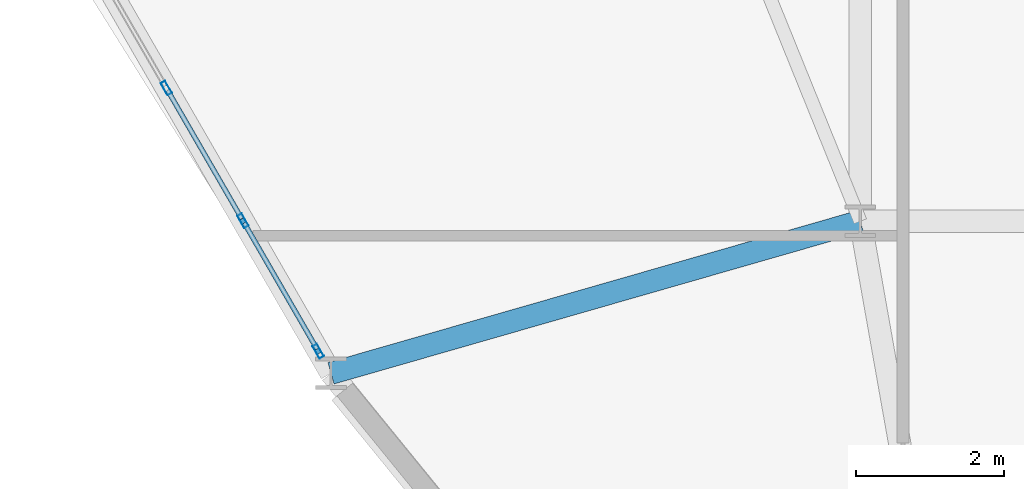
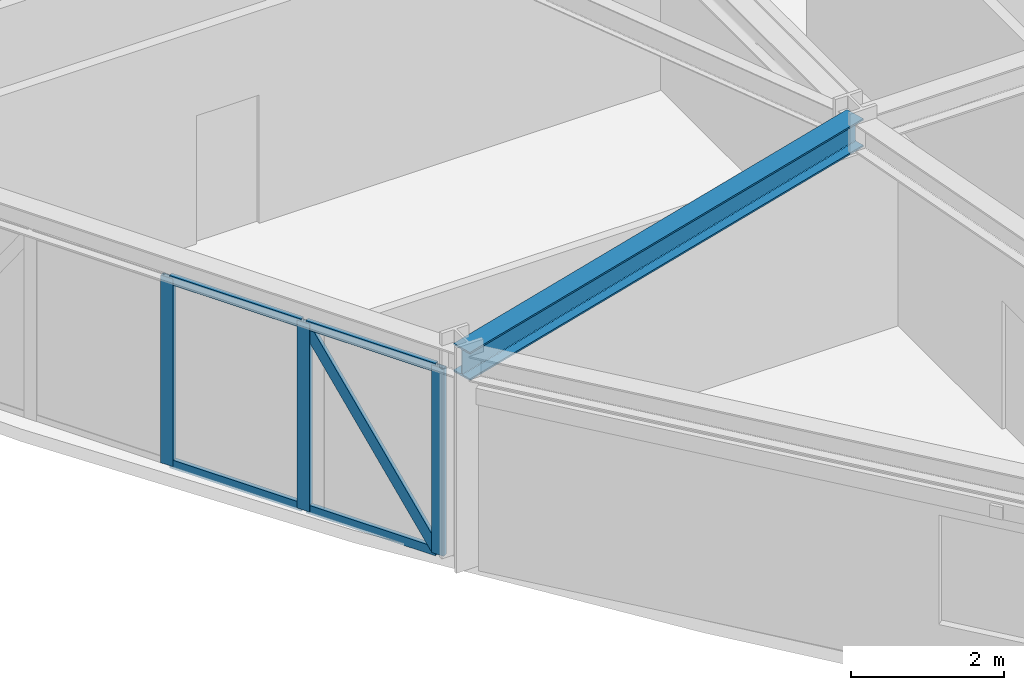
# One storey, part 2 of 15: 8 members, 1 beam, 1 element without a shape of its own.
"""IFC4 building model written with IfcOpenShell, lengths in metres."""

from ifc_helpers import new_model, si_unit, derived_unit, direction, frame, origin, origin_2d, place, context, subcontext, project, spatial, hollow_rectangle, i_section, extrude, source, transform, mapped, material, layer, layer_set, material_profile, profile_set, type_object, element, aggregate, save


model = new_model("IFC4")

# Units and contexts
model_context = context("Model", 3, precision=1e-05, world=origin(), true_north=direction((0.0, 1.0)))
body_context = subcontext(model_context, "Body", "Model", "MODEL_VIEW")
ifc_project = project(units=[si_unit("LENGTHUNIT", "METRE"), si_unit("AREAUNIT", "SQUARE_METRE"), si_unit("VOLUMEUNIT", "CUBIC_METRE"), si_unit("PLANEANGLEUNIT", "RADIAN"), si_unit("MASSUNIT", "GRAM", prefix="KILO"), derived_unit("THERMALTRANSMITTANCEUNIT", [(si_unit("POWERUNIT", "WATT"), 1), (si_unit("LENGTHUNIT", "METRE"), -2), (si_unit("THERMODYNAMICTEMPERATUREUNIT", "KELVIN"), -1)])], contexts=[model_context])

# Site, building, storey
site_placement = place(None, origin())
site = spatial("IfcSite", under=ifc_project, at=site_placement, CompositionType="ELEMENT")
building_placement = place(site_placement, origin())
building = spatial("IfcBuilding", under=site, at=building_placement, Name="Korsvarv Bourse and Concert Hall", CompositionType="ELEMENT")
storey_placement = place(building_placement, frame((0.0, 0.0, 150.60009765625)))
storey = spatial("IfcBuildingStorey", under=building, at=storey_placement, Name="L38", CompositionType="ELEMENT", Elevation=150.60009765625)

# Beam
ifc_material_1 = material(Name="Steel S355", Category="steel")
ifc_material_profile_1 = material_profile(ifc_material_1, i_section(OverallWidth=0.300048828125, OverallDepth=0.449951171875, WebThickness=0.013916015625, FlangeThickness=0.02587890625, FilletRadius=0.02099609375, at=origin_2d()), Name="HEB 450")
ifc_profile_set_1 = profile_set([ifc_material_profile_1], Name="Steel S355")
beam_type = type_object("IfcBeamType", Name="BM-HEB450", PredefinedType="SPANDREL", material=ifc_profile_set_1)
shared_shape_1 = source(origin(), body_context, "Body", "SweptSolid", [
    extrude(i_section(OverallWidth=0.300048828125, OverallDepth=0.449951171875, WebThickness=0.013916015625, FlangeThickness=0.02587890625, FilletRadius=0.02099609375, at=origin_2d()), origin(), (0.0, 0.0, 1.0), 7.4189453125),
])
beam_placement = place(storey_placement, frame((20.469482421875, 21.951904296875, 3.1748046875), z_axis=(0.961139291875, 0.276063872344, 0.0), x_axis=(-0.276063872344, 0.961139291875, 0.0)))
element("IfcBeam", 1, at=beam_placement, inside=storey, type_object=beam_type, Name="L38 beam B-08", PredefinedType="SPANDREL", context=body_context, shape_type="MappedRepresentation", body=[
    mapped(shared_shape_1, transform((0.0, 0.0, 0.0), scale=1.0)),
])

# Curtain wall, members
ifc_material_2 = material(Name="Anodised aluminium and triple low-E glazing", Category="glass")
ifc_layer = layer(ifc_material_2, 0.2099609375)
ifc_layer_set = layer_set([ifc_layer], Name="Anodised aluminium and triple low-E glazing")
curtain_wall_type = type_object("IfcCurtainWallType", Name="CW-SYS-2", PredefinedType="NOTDEFINED", material=ifc_layer_set)
curtain_wall_placement = place(storey_placement, origin())
curtain_wall = element("IfcCurtainWall", 2, at=curtain_wall_placement, inside=storey, type_object=curtain_wall_type, Name="L38 CW2 curtain wall CW-L38-F07", PredefinedType="NOTDEFINED")
ifc_material_3 = material(Name="Extruded aluminium EN AW-6063 T66", Category="aluminium")
ifc_material_profile_2 = material_profile(ifc_material_3, hollow_rectangle(XDim=0.070068359375, YDim=0.18994140625, WallThickness=0.0048828125, at=origin_2d()), Name="ALU-M 70x190")
ifc_profile_set_2 = profile_set([ifc_material_profile_2], Name="Extruded aluminium EN AW-6063 T66")
member_type_1 = type_object("IfcMemberType", Name="CWM-190", PredefinedType="MULLION", material=ifc_profile_set_2)
shared_shape_2 = source(origin(), body_context, "Body", "SweptSolid", [
    extrude(hollow_rectangle(XDim=0.070068359375, YDim=0.18994140625, WallThickness=0.0048828125, at=origin_2d()), origin(), (0.0, 0.0, 1.0), 3.0),
])
member_1_placement = place(storey_placement, frame((18.251220703125, 25.794189453125, 0.0), z_axis=(0.0, 0.0, 1.0), x_axis=(0.866022202013, 0.500005545591, 0.0)))
member_1 = element("IfcMember", 3, at=member_1_placement, type_object=member_type_1, Name="CW2 mullion 5", PredefinedType="MULLION", context=body_context, shape_type="MappedRepresentation", body=[
    mapped(shared_shape_2, transform((0.0, 0.0, 0.0), scale=1.0)),
])
member_2_placement = place(storey_placement, frame((19.283203125, 24.0068359375, 0.0), z_axis=(0.0, 0.0, 1.0), x_axis=(0.866022202013, 0.500005545591, 0.0)))
member_2 = element("IfcMember", 4, at=member_2_placement, type_object=member_type_1, Name="CW2 mullion 6", PredefinedType="MULLION", context=body_context, shape_type="MappedRepresentation", body=[
    mapped(shared_shape_2, transform((0.0, 0.0, 0.0), scale=1.0)),
])
member_3_placement = place(storey_placement, frame((20.297607421875, 22.249755859375, 0.0), z_axis=(0.0, 0.0, 1.0), x_axis=(0.866022202013, 0.500005545591, 0.0)))
member_3 = element("IfcMember", 5, at=member_3_placement, type_object=member_type_1, Name="CW2 mullion 7", PredefinedType="MULLION", context=body_context, shape_type="MappedRepresentation", body=[
    mapped(shared_shape_2, transform((0.0, 0.0, 0.0), scale=1.0)),
])
ifc_material_profile_3 = material_profile(ifc_material_3, hollow_rectangle(XDim=0.06494140625, YDim=0.139892578125, WallThickness=0.00390625, at=origin_2d()), Name="ALU-T 65x140")
ifc_profile_set_3 = profile_set([ifc_material_profile_3], Name="Extruded aluminium EN AW-6063 T66")
member_type_2 = type_object("IfcMemberType", Name="CWT-140", PredefinedType="USERDEFINED", material=ifc_profile_set_3)
shared_shape_3 = source(origin(), body_context, "Body", "SweptSolid", [
    extrude(hollow_rectangle(XDim=0.06494140625, YDim=0.139892578125, WallThickness=0.00390625, at=origin_2d()), origin(), (0.0, 0.0, 1.0), 1.958984375),
])
member_4_placement = place(storey_placement, frame((19.30078125, 23.9765625, 0.032470703125), z_axis=(0.499999343788, -0.866025782648, 0.0), x_axis=(0.866025782648, 0.499999343788, 0.0)))
member_4 = element("IfcMember", 6, at=member_4_placement, type_object=member_type_2, Name="CW2 transom 6.1", ObjectType="TRANSOM", PredefinedType="USERDEFINED", context=body_context, shape_type="MappedRepresentation", body=[
    mapped(shared_shape_3, transform((0.0, 0.0, 0.0), scale=1.0)),
])
member_5_placement = place(storey_placement, frame((19.30078125, 23.9765625, 2.96728515625), z_axis=(0.499999343788, -0.866025782648, 0.0), x_axis=(0.866025782648, 0.499999343788, 0.0)))
member_5 = element("IfcMember", 7, at=member_5_placement, type_object=member_type_2, Name="CW2 transom 6.2", ObjectType="TRANSOM", PredefinedType="USERDEFINED", context=body_context, shape_type="MappedRepresentation", body=[
    mapped(shared_shape_3, transform((0.0, 0.0, 0.0), scale=1.0)),
])
shared_shape_4 = source(origin(), body_context, "Body", "SweptSolid", [
    extrude(hollow_rectangle(XDim=0.06494140625, YDim=0.139892578125, WallThickness=0.00390625, at=origin_2d()), origin(), (0.0, 0.0, 1.0), 1.993896484375),
])
member_6_placement = place(storey_placement, frame((18.268798828125, 25.763916015625, 0.032470703125), z_axis=(0.499945040489, -0.866057132348, 0.0), x_axis=(0.866057132348, 0.499945040489, 0.0)))
member_6 = element("IfcMember", 8, at=member_6_placement, type_object=member_type_2, Name="CW2 transom 5.1", ObjectType="TRANSOM", PredefinedType="USERDEFINED", context=body_context, shape_type="MappedRepresentation", body=[
    mapped(shared_shape_4, transform((0.0, 0.0, 0.0), scale=1.0)),
])
member_7_placement = place(storey_placement, frame((18.268798828125, 25.763916015625, 2.96728515625), z_axis=(0.499945040489, -0.866057132348, 0.0), x_axis=(0.866057132348, 0.499945040489, 0.0)))
member_7 = element("IfcMember", 9, at=member_7_placement, type_object=member_type_2, Name="CW2 transom 5.2", ObjectType="TRANSOM", PredefinedType="USERDEFINED", context=body_context, shape_type="MappedRepresentation", body=[
    mapped(shared_shape_4, transform((0.0, 0.0, 0.0), scale=1.0)),
])
ifc_material_profile_4 = material_profile(ifc_material_3, hollow_rectangle(XDim=0.06494140625, YDim=0.1650390625, WallThickness=0.0048828125, at=origin_2d()), Name="ALU-M 65x165")
ifc_profile_set_4 = profile_set([ifc_material_profile_4], Name="Extruded aluminium EN AW-6063 T66")
member_type_3 = type_object("IfcMemberType", Name="CWM-165", PredefinedType="MULLION", material=ifc_profile_set_4)
shared_shape_5 = source(origin(), body_context, "Body", "SweptSolid", [
    extrude(hollow_rectangle(XDim=0.06494140625, YDim=0.1650390625, WallThickness=0.0048828125, at=origin_2d()), origin(), (0.0, 0.0, 1.0), 3.474853515625),
])
member_8_placement = place(storey_placement, frame((20.2802734375, 22.280029296875, 0.06494140625), z_axis=(-0.281889543771, 0.488247866318, 0.825925121393), x_axis=(-0.866025782648, -0.499999343788, 0.0)))
member_8 = element("IfcMember", 10, at=member_8_placement, type_object=member_type_3, Name="CW2 diagonal mullion 6", PredefinedType="MULLION", context=body_context, shape_type="MappedRepresentation", body=[
    mapped(shared_shape_5, transform((0.0, 0.0, 0.0), scale=1.0)),
])
aggregate(curtain_wall, [member_1, member_2, member_3, member_6, member_7, member_4, member_5, member_8])

save(model, "model.ifc")
